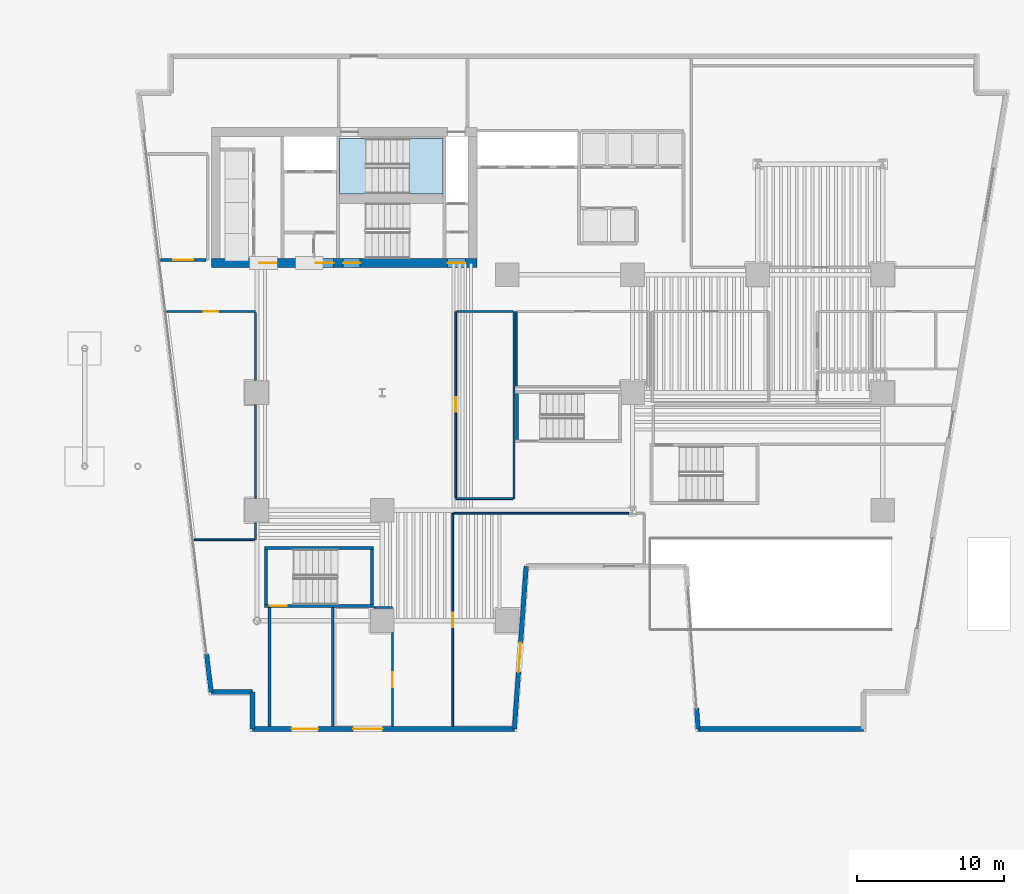
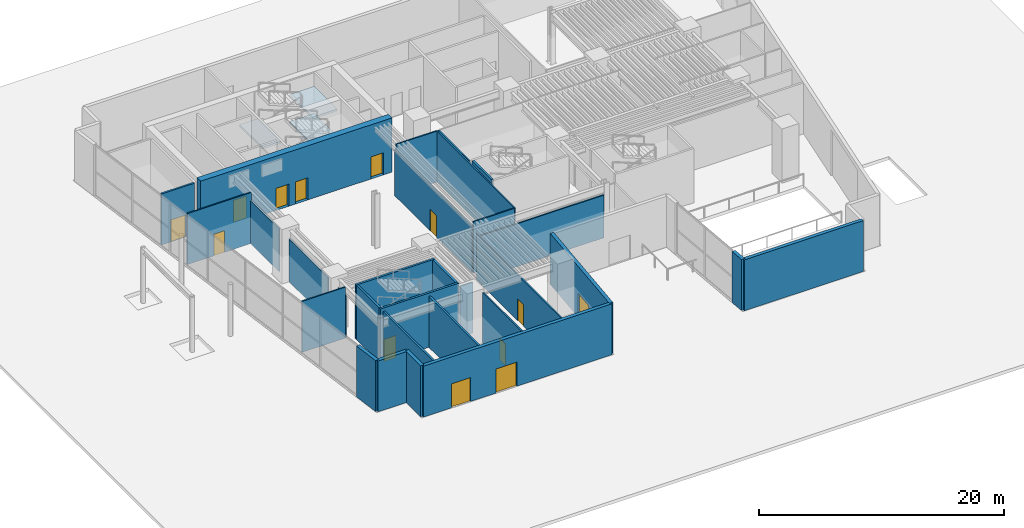
# One storey, part 8 of 18: 30 walls, 13 doors, 3 slabs, 13 openings, 1 element without a shape of its own.
"""IFC4 building model written with IfcOpenShell, lengths in metres."""

from ifc_helpers import new_model, si_unit, direction, frame, frame_2d, origin, place, context, subcontext, project, spatial, polyline, rectangle, outline, extrude, material, layer, layer_set, type_object, element, fill, aggregate, save


model = new_model("IFC4")

# Units and contexts
model_context = context("Model", 3, precision=1e-05, world=origin(), true_north=direction((0.0, 1.0)))
body_context = subcontext(model_context, "Body", "Model", "MODEL_VIEW")
ifc_project = project(units=[si_unit("LENGTHUNIT", "METRE"), si_unit("AREAUNIT", "SQUARE_METRE"), si_unit("VOLUMEUNIT", "CUBIC_METRE"), si_unit("PLANEANGLEUNIT", "RADIAN"), si_unit("MASSUNIT", "GRAM", prefix="KILO")], contexts=[model_context])

# Site, building, storey
site_placement = place(None, origin())
site = spatial("IfcSite", under=ifc_project, at=site_placement, CompositionType="ELEMENT")
building_placement = place(site_placement, origin())
building = spatial("IfcBuilding", under=site, at=building_placement, Name="Caeloran Harvest Quay", CompositionType="ELEMENT")
storey_placement = place(building_placement, origin())
storey = spatial("IfcBuildingStorey", under=building, at=storey_placement, Name="L01", CompositionType="ELEMENT", Elevation=0.0)

# Stair, slabs
ifc_material_1 = material(Name="Concrete C50/60", Category="concrete")
stair_type = type_object("IfcStairType", Name="STAIR-STC-180", PredefinedType="HALF_TURN_STAIR", material=ifc_material_1)
stair_placement = place(storey_placement, origin())
stair = element("IfcStair", 1, at=stair_placement, inside=storey, type_object=stair_type, Name="L01 Core Pressurized Exit Stair ST-C1", PredefinedType="HALF_TURN_STAIR")
ifc_layer_1 = layer(ifc_material_1, 0.219970703125, Name="Concrete C50/60")
ifc_layer_set_1 = layer_set([ifc_layer_1], Name="Concrete C50/60")
slab_type = type_object("IfcSlabType", Name="STAIR-LANDING-220", PredefinedType="LANDING", material=ifc_layer_set_1)
slab_1_placement = place(storey_placement, frame((0.0, 0.0, 1.14990234375)))
slab_1 = element("IfcSlab", 2, at=slab_1_placement, type_object=slab_type, Name="ST-C1 landing 1", PredefinedType="LANDING", context=body_context, shape_type="SweptSolid", body=[
    extrude(outline(polyline([(18.840087890625, 36.5), (21.14990234375, 36.5), (21.14990234375, 40.25), (18.840087890625, 40.25), (18.840087890625, 36.5)])), origin(), (0.0, 0.0, 1.0), 0.2001953125),
])
slab_2_placement = place(storey_placement, frame((0.0, 0.0, 2.5)))
slab_2 = element("IfcSlab", 3, at=slab_2_placement, type_object=slab_type, Name="ST-C1 landing 2", PredefinedType="LANDING", context=body_context, shape_type="SweptSolid", body=[
    extrude(outline(polyline([(14.10009765625, 36.5), (15.89990234375, 36.5), (15.89990234375, 40.25), (14.10009765625, 40.25), (14.10009765625, 36.5)])), origin(), (0.0, 0.0, 1.0), 0.199951171875),
])
slab_3_placement = place(storey_placement, frame((0.0, 0.0, 3.85009765625)))
slab_3 = element("IfcSlab", 4, at=slab_3_placement, type_object=slab_type, Name="ST-C1 landing 3", PredefinedType="LANDING", context=body_context, shape_type="SweptSolid", body=[
    extrude(outline(polyline([(18.840087890625, 36.5), (21.14990234375, 36.5), (21.14990234375, 40.25), (18.840087890625, 40.25), (18.840087890625, 36.5)])), origin(), (0.0, 0.0, 1.0), 0.199951171875),
])
aggregate(stair, [slab_1, slab_2, slab_3])

# Walls
ifc_material_2 = material(Name="Precast concrete C50/60", Category="concrete")
ifc_layer_2 = layer(ifc_material_2, 0.320068359375, Name="Precast concrete C50/60")
ifc_layer_set_2 = layer_set([ifc_layer_2], Name="Precast concrete C50/60")
wall_type_1 = type_object("IfcWallType", Name="ENV-WALL-EW-320", PredefinedType="STANDARD", material=ifc_layer_set_2)
wall_1_placement = place(storey_placement, frame((8.2041015625, 0.159912109375, 0.0), z_axis=(0.0, 0.0, 1.0), x_axis=(0.0, 1.0, 0.0)))
element("IfcWall", 5, at=wall_1_placement, inside=storey, type_object=wall_type_1, Name="L01 Exterior Precast Concrete Facade Wall 1", PredefinedType="STANDARD", context=body_context, shape_type="SweptSolid", body=[
    extrude(rectangle(XDim=2.5, YDim=0.320068359375, at=frame_2d((1.25, 0.0))), origin(), (0.0, 0.0, 1.0), 5.080078125),
])
wall_2_placement = place(storey_placement, frame((8.2041015625, 2.659912109375, 0.0), z_axis=(0.0, 0.0, 1.0), x_axis=(-1.0, 0.0, 0.0)))
element("IfcWall", 6, at=wall_2_placement, inside=storey, type_object=wall_type_1, Name="L01 Exterior Precast Concrete Facade Wall 2", PredefinedType="STANDARD", context=body_context, shape_type="SweptSolid", body=[
    extrude(rectangle(XDim=2.819580078125, YDim=0.320068359375, at=frame_2d((1.40966796875, 0.0))), origin(), (0.0, 0.0, 1.0), 5.080078125),
])
wall_3_placement = place(storey_placement, frame((5.384521484375, 2.659912109375, 0.0), z_axis=(0.0, 0.0, 1.0), x_axis=(-0.119630264411, 0.992818513041, 0.0)))
element("IfcWall", 7, at=wall_3_placement, inside=storey, type_object=wall_type_1, Name="L01 Exterior Facade Corner Pier Wall 3A", PredefinedType="STANDARD", context=body_context, shape_type="SweptSolid", body=[
    extrude(rectangle(XDim=2.599853515625, YDim=0.320068359375, at=frame_2d((1.2998046875, 0.0))), origin(), (0.0, 0.0, 1.0), 5.080078125),
])
wall_4_placement = place(storey_placement, frame((49.68408203125, 0.159912109375, 0.0), z_axis=(0.0, 0.0, 1.0), x_axis=(-1.0, 0.0, 0.0)))
element("IfcWall", 8, at=wall_4_placement, inside=storey, type_object=wall_type_1, Name="L01 Exterior Precast Concrete Facade Wall 12", PredefinedType="STANDARD", context=body_context, shape_type="SweptSolid", body=[
    extrude(rectangle(XDim=11.231201171875, YDim=0.320068359375, at=frame_2d((5.61572265625, 0.0))), origin(), (0.0, 0.0, 1.0), 5.080078125),
])
wall_5_placement = place(storey_placement, frame((38.452880859375, 0.159912109375, 0.0), z_axis=(0.0, 0.0, 1.0), x_axis=(-0.072362245244, 0.997378416381, 0.0)))
element("IfcWall", 9, at=wall_5_placement, inside=storey, type_object=wall_type_1, Name="L01 Exterior Facade Corner Pier Wall 13A", PredefinedType="STANDARD", context=body_context, shape_type="SweptSolid", body=[
    extrude(rectangle(XDim=1.400146484375, YDim=0.320068359375, at=frame_2d((0.7001953125, 0.0))), origin(), (0.0, 0.0, 1.0), 5.080078125),
])

# Wall, opening, door
wall_6_placement = place(storey_placement, frame((26.787109375, 11.199951171875, 0.0), z_axis=(0.0, 0.0, 1.0), x_axis=(-0.072256453304, -0.997386086205, 0.0)))
wall_6 = element("IfcWall", 10, at=wall_6_placement, inside=storey, type_object=wall_type_1, Name="L01 Exterior Precast Concrete Facade Wall 15", PredefinedType="STANDARD", context=body_context, shape_type="SweptSolid", body=[
    extrude(rectangle(XDim=11.069091796875, YDim=0.320068359375, at=frame_2d((5.53466796875, 0.0))), origin(), (0.0, 0.0, 1.0), 5.080078125),
])
opening_1_placement = place(wall_6_placement, frame((5.198974609375, 0.0, 0.0)))
opening_1 = element("IfcOpeningElement", 11, at=opening_1_placement, cuts=wall_6, Name="Opening ED-01", PredefinedType="OPENING", context=body_context, shape_type="SweptSolid", body=[
    extrude(rectangle(XDim=2.0, YDim=2.39990234375, at=frame_2d((1.0, 1.199951171875))), frame((0.0, 0.169921875, 0.0), z_axis=(0.0, -1.0, 0.0), x_axis=(1.0, 0.0, 0.0)), (0.0, 0.0, 1.0), 0.340087890625),
])
ifc_material_3 = material(Name="Thermally Broken Powder-Coated Aluminium and Safety Glass", Category="aluminium")
door_type_1 = type_object("IfcDoorType", Name="EXTDOOR-ED-01", OperationType="NOTDEFINED", PredefinedType="DOOR", material=ifc_material_3)
door_1_placement = place(opening_1_placement, origin())
door_1 = element("IfcDoor", 12, at=door_1_placement, inside=storey, type_object=door_type_1, Name="L01 Waterfront Final Exit Discharge Door E-02", OperationType="DOUBLE_DOOR_SINGLE_SWING", OverallHeight=2.39990234375, OverallWidth=2.0, PredefinedType="DOOR", context=body_context, shape_type="SweptSolid", body=[
    extrude(rectangle(XDim=2.0, YDim=2.39990234375, at=frame_2d((1.0, 1.199951171875))), frame((0.0, 0.02490234375, 0.0), z_axis=(0.0, -1.0, 0.0), x_axis=(1.0, 0.0, 0.0)), (0.0, 0.0, 1.0), 0.050048828125),
])
fill(opening_1, door_1)

# Wall, openings, doors
wall_7_placement = place(storey_placement, frame((25.9873046875, 0.159912109375, 0.0), z_axis=(0.0, 0.0, 1.0), x_axis=(-1.0, 0.0, 0.0)))
wall_7 = element("IfcWall", 13, at=wall_7_placement, inside=storey, type_object=wall_type_1, Name="L01 Exterior Precast Concrete Facade Wall 16", PredefinedType="STANDARD", context=body_context, shape_type="SweptSolid", body=[
    extrude(rectangle(XDim=17.783203125, YDim=0.320068359375, at=frame_2d((8.8916015625, 0.0))), origin(), (0.0, 0.0, 1.0), 5.080078125),
])
opening_2_placement = place(wall_7_placement, frame((13.326904296875, 0.0, 0.0)))
opening_2 = element("IfcOpeningElement", 14, at=opening_2_placement, cuts=wall_7, Name="Opening ED-02", PredefinedType="OPENING", context=body_context, shape_type="SweptSolid", body=[
    extrude(rectangle(XDim=1.800048828125, YDim=2.39990234375, at=frame_2d((0.89990234375, 1.199951171875))), frame((0.0, 0.169921875, 0.0), z_axis=(0.0, -1.0, 0.0), x_axis=(1.0, 0.0, 0.0)), (0.0, 0.0, 1.0), 0.340087890625),
])
opening_3_placement = place(wall_7_placement, frame((8.958984375, 0.0, 0.0)))
opening_3 = element("IfcOpeningElement", 15, at=opening_3_placement, cuts=wall_7, Name="Opening ED-01", PredefinedType="OPENING", context=body_context, shape_type="SweptSolid", body=[
    extrude(rectangle(XDim=2.0, YDim=2.39990234375, at=frame_2d((1.0, 1.199951171875))), frame((0.0, 0.169921875, 0.0), z_axis=(0.0, -1.0, 0.0), x_axis=(1.0, 0.0, 0.0)), (0.0, 0.0, 1.0), 0.340087890625),
])
door_2_placement = place(opening_3_placement, origin())
door_2 = element("IfcDoor", 16, at=door_2_placement, inside=storey, type_object=door_type_1, Name="L01 Waterfront Final Exit Discharge Door E-03", OperationType="DOUBLE_DOOR_SINGLE_SWING", OverallHeight=2.39990234375, OverallWidth=2.0, PredefinedType="DOOR", context=body_context, shape_type="SweptSolid", body=[
    extrude(rectangle(XDim=2.0, YDim=2.39990234375, at=frame_2d((1.0, 1.199951171875))), frame((0.0, 0.02490234375, 0.0), z_axis=(0.0, -1.0, 0.0), x_axis=(1.0, 0.0, 0.0)), (0.0, 0.0, 1.0), 0.050048828125),
])
fill(opening_3, door_2)
door_type_2 = type_object("IfcDoorType", Name="EXTDOOR-ED-02", OperationType="NOTDEFINED", PredefinedType="DOOR", material=ifc_material_3)
door_3_placement = place(opening_2_placement, origin())
door_3 = element("IfcDoor", 17, at=door_3_placement, inside=storey, type_object=door_type_2, Name="L01 Protected Passage ST-P1 Final Exit Door", OperationType="DOUBLE_DOOR_SINGLE_SWING", OverallHeight=2.39990234375, OverallWidth=1.800048828125, PredefinedType="DOOR", context=body_context, shape_type="SweptSolid", body=[
    extrude(rectangle(XDim=1.800048828125, YDim=2.39990234375, at=frame_2d((0.89990234375, 1.199951171875))), frame((0.0, 0.02490234375, 0.0), z_axis=(0.0, -1.0, 0.0), x_axis=(1.0, 0.0, 0.0)), (0.0, 0.0, 1.0), 0.050048828125),
])
fill(opening_2, door_3)

# Wall, opening, door
ifc_material_4 = material(Name="Twin-Stud Mineral-Wool Acoustic Gypsum Partition", Category="gypsum")
ifc_layer_3 = layer(ifc_material_4, 0.125, Name="Twin-Stud Mineral-Wool Acoustic Gypsum Partition")
ifc_layer_set_3 = layer_set([ifc_layer_3], Name="Twin-Stud Mineral-Wool Acoustic Gypsum Partition")
wall_type_2 = type_object("IfcWallType", Name="INT-WALL-PW-125", PredefinedType="PARTITIONING", material=ifc_layer_set_3)
wall_8_placement = place(storey_placement, frame((2.3759765625, 28.5, 0.0), z_axis=(0.0, 0.0, 1.0), x_axis=(1.0, 0.0, 0.0)))
wall_8 = element("IfcWall", 18, at=wall_8_placement, inside=storey, type_object=wall_type_2, Name="West Harbourfront Wet-Dry Harvest Market Hall Partition Wall", PredefinedType="PARTITIONING", context=body_context, shape_type="SweptSolid", body=[
    extrude(rectangle(XDim=6.02392578125, YDim=0.125, at=frame_2d((3.011962890625, 0.0))), origin(), (0.0, 0.0, 1.0), 5.080078125),
])
opening_4_placement = place(wall_8_placement, frame((2.511962890625, 0.0, 0.0)))
opening_4 = element("IfcOpeningElement", 19, at=opening_4_placement, cuts=wall_8, Name="Opening ID-01", PredefinedType="OPENING", context=body_context, shape_type="SweptSolid", body=[
    extrude(rectangle(XDim=1.0, YDim=2.14990234375, at=frame_2d((0.5, 1.074951171875))), frame((0.0, 0.072509765625, 0.0), z_axis=(0.0, -1.0, 0.0), x_axis=(1.0, 0.0, 0.0)), (0.0, 0.0, 1.0), 0.14501953125),
])
ifc_material_5 = material(Name="FSC Solid-Core Ash Timber and Acoustic Seal", Category="wood")
door_type_3 = type_object("IfcDoorType", Name="INTDOOR-ID-01", OperationType="NOTDEFINED", PredefinedType="DOOR", material=ifc_material_5)
door_4_placement = place(opening_4_placement, origin())
door_4 = element("IfcDoor", 20, at=door_4_placement, inside=storey, type_object=door_type_3, Name="West Harbourfront Wet-Dry Harvest Market Hall Access Door", OperationType="SINGLE_SWING_RIGHT", OverallHeight=2.14990234375, OverallWidth=1.0, PredefinedType="DOOR", context=body_context, shape_type="SweptSolid", body=[
    extrude(rectangle(XDim=1.0, YDim=2.14990234375, at=frame_2d((0.5, 1.074951171875))), frame((0.0, 0.02490234375, 0.0), z_axis=(0.0, -1.0, 0.0), x_axis=(1.0, 0.0, 0.0)), (0.0, 0.0, 1.0), 0.050048828125),
])
fill(opening_4, door_4)

# Walls
wall_9_placement = place(storey_placement, frame((8.39990234375, 28.4326171875, 0.0), z_axis=(0.0, 0.0, 1.0), x_axis=(0.0, -1.0, 0.0)))
element("IfcWall", 21, at=wall_9_placement, inside=storey, type_object=wall_type_2, Name="West Harbourfront Wet-Dry Harvest Market Hall Partition Wall", PredefinedType="PARTITIONING", context=body_context, shape_type="SweptSolid", body=[
    extrude(rectangle(XDim=4.607666015625, YDim=0.125, at=frame_2d((2.3037109375, 0.0))), origin(), (0.0, 0.0, 1.0), 4.264892578125),
])
wall_10_placement = place(storey_placement, frame((8.39990234375, 22.175048828125, 0.0), z_axis=(0.0, 0.0, 1.0), x_axis=(0.0, -1.0, 0.0)))
element("IfcWall", 22, at=wall_10_placement, inside=storey, type_object=wall_type_2, Name="West Harbourfront Wet-Dry Harvest Market Hall Partition Wall", PredefinedType="PARTITIONING", context=body_context, shape_type="SweptSolid", body=[
    extrude(rectangle(XDim=6.35009765625, YDim=0.125, at=frame_2d((3.175048828125, 0.0))), origin(), (0.0, 0.0, 1.0), 4.264892578125),
])
wall_11_placement = place(storey_placement, frame((8.39990234375, 14.175048828125, 0.0), z_axis=(0.0, 0.0, 1.0), x_axis=(0.0, -1.0, 0.0)))
element("IfcWall", 23, at=wall_11_placement, inside=storey, type_object=wall_type_2, Name="West Harbourfront Wet-Dry Harvest Market Hall Partition Wall", PredefinedType="PARTITIONING", context=body_context, shape_type="SweptSolid", body=[
    extrude(rectangle(XDim=1.175048828125, YDim=0.125, at=frame_2d((0.58740234375, 0.0))), origin(), (0.0, 0.0, 1.0), 4.264892578125),
])
wall_12_placement = place(storey_placement, frame((8.33251953125, 13.0, 0.0), z_axis=(0.0, 0.0, 1.0), x_axis=(-1.0, 0.0, 0.0)))
element("IfcWall", 24, at=wall_12_placement, inside=storey, type_object=wall_type_2, Name="West Harbourfront Wet-Dry Harvest Market Hall Partition Wall", PredefinedType="PARTITIONING", context=body_context, shape_type="SweptSolid", body=[
    extrude(rectangle(XDim=4.08837890625, YDim=0.125, at=frame_2d((2.044189453125, 0.0))), origin(), (0.0, 0.0, 1.0), 5.080078125),
])

# Wall, opening, door
wall_13_placement = place(storey_placement, frame((17.699951171875, 6.675048828125, 0.0), z_axis=(0.0, 0.0, 1.0), x_axis=(0.0, -1.0, 0.0)))
wall_13 = element("IfcWall", 25, at=wall_13_placement, inside=storey, type_object=wall_type_2, Name="South Waterfront Organic Produce Market Stalls Partition Wall", PredefinedType="PARTITIONING", context=body_context, shape_type="SweptSolid", body=[
    extrude(rectangle(XDim=6.35009765625, YDim=0.125, at=frame_2d((3.175048828125, 0.0))), origin(), (0.0, 0.0, 1.0), 5.080078125),
])
opening_5_placement = place(wall_13_placement, frame((2.675048828125, 0.0, 0.0)))
opening_5 = element("IfcOpeningElement", 26, at=opening_5_placement, cuts=wall_13, Name="Opening ID-01", PredefinedType="OPENING", context=body_context, shape_type="SweptSolid", body=[
    extrude(rectangle(XDim=1.0, YDim=2.14990234375, at=frame_2d((0.5, 1.074951171875))), frame((0.0, 0.072509765625, 0.0), z_axis=(0.0, -1.0, 0.0), x_axis=(1.0, 0.0, 0.0)), (0.0, 0.0, 1.0), 0.14501953125),
])
door_5_placement = place(opening_5_placement, origin())
door_5 = element("IfcDoor", 27, at=door_5_placement, inside=storey, type_object=door_type_3, Name="South Waterfront Organic Produce Market Stalls Access Door", OperationType="SINGLE_SWING_LEFT", OverallHeight=2.14990234375, OverallWidth=1.0, PredefinedType="DOOR", context=body_context, shape_type="SweptSolid", body=[
    extrude(rectangle(XDim=1.0, YDim=2.14990234375, at=frame_2d((0.5, 1.074951171875))), frame((0.0, 0.02490234375, 0.0), z_axis=(0.0, -1.0, 0.0), x_axis=(1.0, 0.0, 0.0)), (0.0, 0.0, 1.0), 0.050048828125),
])
fill(opening_5, door_5)

# Wall
wall_14_placement = place(storey_placement, frame((16.474609375, 8.39990234375, 0.0), z_axis=(0.0, 0.0, 1.0), x_axis=(1.0, 0.0, 0.0)))
element("IfcWall", 28, at=wall_14_placement, inside=storey, type_object=wall_type_2, Name="South Waterfront Organic Produce Market Stalls Partition Wall", PredefinedType="PARTITIONING", context=body_context, shape_type="SweptSolid", body=[
    extrude(rectangle(XDim=1.225341796875, YDim=0.125, at=frame_2d((0.61279296875, 0.0))), origin(), (0.0, 0.0, 1.0), 5.080078125),
])

# Wall, opening, door
wall_15_placement = place(storey_placement, frame((21.800048828125, 0.324951171875, 0.0), z_axis=(0.0, 0.0, 1.0), x_axis=(0.0, 1.0, 0.0)))
wall_15 = element("IfcWall", 29, at=wall_15_placement, inside=storey, type_object=wall_type_2, Name="Quayside Bakery and Farm-to-Table Cafe Partition Wall", PredefinedType="PARTITIONING", context=body_context, shape_type="SweptSolid", body=[
    extrude(rectangle(XDim=14.47509765625, YDim=0.125, at=frame_2d((7.237548828125, 0.0))), origin(), (0.0, 0.0, 1.0), 4.56494140625),
])
opening_6_placement = place(wall_15_placement, frame((6.737548828125, 0.0, 0.0)))
opening_6 = element("IfcOpeningElement", 30, at=opening_6_placement, cuts=wall_15, Name="Opening ID-01", PredefinedType="OPENING", context=body_context, shape_type="SweptSolid", body=[
    extrude(rectangle(XDim=1.0, YDim=2.14990234375, at=frame_2d((0.5, 1.074951171875))), frame((0.0, 0.072509765625, 0.0), z_axis=(0.0, -1.0, 0.0), x_axis=(1.0, 0.0, 0.0)), (0.0, 0.0, 1.0), 0.14501953125),
])
door_6_placement = place(opening_6_placement, origin())
door_6 = element("IfcDoor", 31, at=door_6_placement, inside=storey, type_object=door_type_3, Name="Quayside Bakery and Farm-to-Table Cafe Access Door", OperationType="SINGLE_SWING_RIGHT", OverallHeight=2.14990234375, OverallWidth=1.0, PredefinedType="DOOR", context=body_context, shape_type="SweptSolid", body=[
    extrude(rectangle(XDim=1.0, YDim=2.14990234375, at=frame_2d((0.5, 1.074951171875))), frame((0.0, 0.02490234375, 0.0), z_axis=(0.0, -1.0, 0.0), x_axis=(1.0, 0.0, 0.0)), (0.0, 0.0, 1.0), 0.050048828125),
])
fill(opening_6, door_6)

# Walls
wall_16_placement = place(storey_placement, frame((21.867431640625, 14.800048828125, 0.0), z_axis=(0.0, 0.0, 1.0), x_axis=(1.0, 0.0, 0.0)))
element("IfcWall", 32, at=wall_16_placement, inside=storey, type_object=wall_type_2, Name="Quayside Bakery and Farm-to-Table Cafe Partition Wall", PredefinedType="PARTITIONING", context=body_context, shape_type="SweptSolid", body=[
    extrude(rectangle(XDim=11.880615234375, YDim=0.125, at=frame_2d((5.9404296875, 0.0))), origin(), (0.0, 0.0, 1.0), 4.264892578125),
])
wall_17_placement = place(storey_placement, frame((26.10009765625, 23.467529296875, 0.0), z_axis=(0.0, 0.0, 1.0), x_axis=(0.0, 1.0, 0.0)))
element("IfcWall", 33, at=wall_17_placement, inside=storey, type_object=wall_type_2, Name="Cold-Chain Harvest Sorting and Packhouse Hall Partition Wall", PredefinedType="PARTITIONING", context=body_context, shape_type="SweptSolid", body=[
    extrude(rectangle(XDim=5.032470703125, YDim=0.125, at=frame_2d((2.51611328125, 0.0))), origin(), (0.0, 0.0, 1.0), 5.080078125),
])
wall_18_placement = place(storey_placement, frame((25.949951171875, 28.5, 0.0), z_axis=(0.0, 0.0, 1.0), x_axis=(0.0, -1.0, 0.0)))
element("IfcWall", 34, at=wall_18_placement, inside=storey, type_object=wall_type_2, Name="Walk-In Produce Chiller Store (+2 C) Partition Wall", PredefinedType="PARTITIONING", context=body_context, shape_type="SweptSolid", body=[
    extrude(rectangle(XDim=12.699951171875, YDim=0.125, at=frame_2d((6.35009765625, 0.0))), origin(), (0.0, 0.0, 1.0), 5.080078125),
])
wall_19_placement = place(storey_placement, frame((25.882568359375, 15.800048828125, 0.0), z_axis=(0.0, 0.0, 1.0), x_axis=(-1.0, 0.0, 0.0)))
element("IfcWall", 35, at=wall_19_placement, inside=storey, type_object=wall_type_2, Name="Walk-In Produce Chiller Store (+2 C) Partition Wall", PredefinedType="PARTITIONING", context=body_context, shape_type="SweptSolid", body=[
    extrude(rectangle(XDim=3.882568359375, YDim=0.125, at=frame_2d((1.94140625, 0.0))), origin(), (0.0, 0.0, 1.0), 5.080078125),
])

# Wall, opening, door
wall_20_placement = place(storey_placement, frame((22.0, 15.867431640625, 0.0), z_axis=(0.0, 0.0, 1.0), x_axis=(0.0, 1.0, 0.0)))
wall_20 = element("IfcWall", 36, at=wall_20_placement, inside=storey, type_object=wall_type_2, Name="Walk-In Produce Chiller Store (+2 C) Partition Wall", PredefinedType="PARTITIONING", context=body_context, shape_type="SweptSolid", body=[
    extrude(rectangle(XDim=12.632568359375, YDim=0.125, at=frame_2d((6.31640625, 0.0))), origin(), (0.0, 0.0, 1.0), 4.614990234375),
])
opening_7_placement = place(wall_20_placement, frame((5.81640625, 0.0, 0.0)))
opening_7 = element("IfcOpeningElement", 37, at=opening_7_placement, cuts=wall_20, Name="Opening ID-01", PredefinedType="OPENING", context=body_context, shape_type="SweptSolid", body=[
    extrude(rectangle(XDim=1.0, YDim=2.14990234375, at=frame_2d((0.5, 1.074951171875))), frame((0.0, 0.072509765625, 0.0), z_axis=(0.0, -1.0, 0.0), x_axis=(1.0, 0.0, 0.0)), (0.0, 0.0, 1.0), 0.14501953125),
])
door_7_placement = place(opening_7_placement, origin())
door_7 = element("IfcDoor", 38, at=door_7_placement, inside=storey, type_object=door_type_3, Name="Walk-In Produce Chiller Store (+2 C) Access Door", OperationType="SINGLE_SWING_RIGHT", OverallHeight=2.14990234375, OverallWidth=1.0, PredefinedType="DOOR", context=body_context, shape_type="SweptSolid", body=[
    extrude(rectangle(XDim=1.0, YDim=2.14990234375, at=frame_2d((0.5, 1.074951171875))), frame((0.0, 0.02490234375, 0.0), z_axis=(0.0, -1.0, 0.0), x_axis=(1.0, 0.0, 0.0)), (0.0, 0.0, 1.0), 0.050048828125),
])
fill(opening_7, door_7)

# Walls
wall_21_placement = place(storey_placement, frame((22.0673828125, 28.5, 0.0), z_axis=(0.0, 0.0, 1.0), x_axis=(1.0, 0.0, 0.0)))
element("IfcWall", 39, at=wall_21_placement, inside=storey, type_object=wall_type_2, Name="Walk-In Produce Chiller Store (+2 C) Partition Wall", PredefinedType="PARTITIONING", context=body_context, shape_type="SweptSolid", body=[
    extrude(rectangle(XDim=3.815185546875, YDim=0.125, at=frame_2d((1.90771484375, 0.0))), origin(), (0.0, 0.0, 1.0), 5.080078125),
])
ifc_material_6 = material(Name="Autoclaved Aerated Concrete Blockwork", Category="masonry")
ifc_layer_4 = layer(ifc_material_6, 0.179931640625, Name="Autoclaved Aerated Concrete Blockwork")
ifc_layer_set_4 = layer_set([ifc_layer_4], Name="Autoclaved Aerated Concrete Blockwork")
wall_type_3 = type_object("IfcWallType", Name="INT-WALL-PW-180", PredefinedType="PARTITIONING", material=ifc_layer_set_4)
for number, where, z_axis, x_axis, name in (
    (40, (9.35009765625, 0.324951171875, 0.0), (0.0, 0.0, 1.0), (0.0, 1.0, 0.0), "L01 Protected Exit Passageway ST-P1 to South Promenade EI 120 Compartment Wall"),
    (41, (13.64990234375, 8.39501953125, 0.0), (0.0, 0.0, 1.0), (0.0, -1.0, 0.0), "L01 Protected Exit Passageway ST-P1 to South Promenade EI 120 Compartment Wall"),
):
    element("IfcWall", number, at=place(storey_placement, frame(where, z_axis=z_axis, x_axis=x_axis)), inside=storey, type_object=wall_type_3, Name=name, PredefinedType="PARTITIONING", context=body_context, shape_type="SweptSolid", body=[
        extrude(rectangle(XDim=8.070068359375, YDim=0.179931640625, at=frame_2d((4.03515625, 0.0))), origin(), (0.0, 0.0, 1.0), 5.080078125),
    ])

# Wall, opening, door
wall_22_placement = place(storey_placement, frame((5.054931640625, 32.0, 0.0), z_axis=(0.0, 0.0, 1.0), x_axis=(-1.0, 0.0, 0.0)))
wall_22 = element("IfcWall", 42, at=wall_22_placement, inside=storey, type_object=wall_type_3, Name="L01 Fire Command Centre and Fire Control Room Partition Wall", PredefinedType="PARTITIONING", context=body_context, shape_type="SweptSolid", body=[
    extrude(rectangle(XDim=3.100830078125, YDim=0.179931640625, at=frame_2d((1.55029296875, 0.0))), origin(), (0.0, 0.0, 1.0), 5.080078125),
])
opening_8_placement = place(wall_22_placement, frame((0.87548828125, 0.0, 0.0)))
opening_8 = element("IfcOpeningElement", 43, at=opening_8_placement, cuts=wall_22, Name="Opening ID-02", PredefinedType="OPENING", context=body_context, shape_type="SweptSolid", body=[
    extrude(rectangle(XDim=1.35009765625, YDim=2.199951171875, at=frame_2d((0.675048828125, 1.10009765625))), frame((0.0, 0.10009765625, 0.0), z_axis=(0.0, -1.0, 0.0), x_axis=(1.0, 0.0, 0.0)), (0.0, 0.0, 1.0), 0.199951171875),
])
ifc_material_7 = material(Name="Powder-Coated Steel Acoustic Leaf", Category="steel")
door_type_4 = type_object("IfcDoorType", Name="INTDOOR-ID-02", OperationType="NOTDEFINED", PredefinedType="DOOR", material=ifc_material_7)
door_8_placement = place(opening_8_placement, origin())
door_8 = element("IfcDoor", 44, at=door_8_placement, inside=storey, type_object=door_type_4, Name="L01 Fire Command Centre and Fire Control Room Access Door", OperationType="SINGLE_SWING_LEFT", OverallHeight=2.199951171875, OverallWidth=1.35009765625, PredefinedType="DOOR", context=body_context, shape_type="SweptSolid", body=[
    extrude(rectangle(XDim=1.35009765625, YDim=2.199951171875, at=frame_2d((0.675048828125, 1.10009765625))), frame((0.0, 0.02490234375, 0.0), z_axis=(0.0, -1.0, 0.0), x_axis=(1.0, 0.0, 0.0)), (0.0, 0.0, 1.0), 0.050048828125),
])
fill(opening_8, door_8)

# Wall, openings, doors
ifc_material_8 = material(Name="Concrete C80/95", Category="concrete")
ifc_layer_5 = layer(ifc_material_8, 0.60009765625, Name="Concrete C80/95")
ifc_layer_set_5 = layer_set([ifc_layer_5], Name="Concrete C80/95")
wall_type_4 = type_object("IfcWallType", Name="STR-WALL-CW-600", PredefinedType="SHEAR", material=ifc_layer_set_5)
wall_23_placement = place(storey_placement, frame((5.39990234375, 31.800048828125, 0.0), z_axis=(0.0, 0.0, 1.0), x_axis=(1.0, 0.0, 0.0)))
wall_23 = element("IfcWall", 45, at=wall_23_placement, inside=storey, type_object=wall_type_4, Name="L01 Rear Core Shear Wall S", PredefinedType="SHEAR", context=body_context, shape_type="SweptSolid", body=[
    extrude(rectangle(XDim=18.050048828125, YDim=0.60009765625, at=frame_2d((9.02490234375, 0.0))), origin(), (0.0, 0.0, 1.0), 5.39990234375),
])
opening_9_placement = place(wall_23_placement, frame((3.25, 0.0, 0.0)))
opening_9 = element("IfcOpeningElement", 46, at=opening_9_placement, cuts=wall_23, Name="Opening FD-01", PredefinedType="OPENING", context=body_context, shape_type="SweptSolid", body=[
    extrude(rectangle(XDim=1.199951171875, YDim=2.199951171875, at=frame_2d((0.60009765625, 1.10009765625))), frame((0.0, 0.31005859375, 0.0), z_axis=(0.0, -1.0, 0.0), x_axis=(1.0, 0.0, 0.0)), (0.0, 0.0, 1.0), 0.6201171875),
])
opening_10_placement = place(wall_23_placement, frame((7.10009765625, 0.0, 0.0)))
opening_10 = element("IfcOpeningElement", 47, at=opening_10_placement, cuts=wall_23, Name="Opening FD-01", PredefinedType="OPENING", context=body_context, shape_type="SweptSolid", body=[
    extrude(rectangle(XDim=1.199951171875, YDim=2.199951171875, at=frame_2d((0.60009765625, 1.10009765625))), frame((0.0, 0.31005859375, 0.0), z_axis=(0.0, -1.0, 0.0), x_axis=(1.0, 0.0, 0.0)), (0.0, 0.0, 1.0), 0.6201171875),
])
opening_11_placement = place(wall_23_placement, frame((8.949951171875, 0.0, 0.0)))
opening_11 = element("IfcOpeningElement", 48, at=opening_11_placement, cuts=wall_23, Name="Opening SD-01", PredefinedType="OPENING", context=body_context, shape_type="SweptSolid", body=[
    extrude(rectangle(XDim=1.14990234375, YDim=2.199951171875, at=frame_2d((0.574951171875, 1.10009765625))), frame((0.0, 0.31005859375, 0.0), z_axis=(0.0, -1.0, 0.0), x_axis=(1.0, 0.0, 0.0)), (0.0, 0.0, 1.0), 0.6201171875),
])
opening_12_placement = place(wall_23_placement, frame((16.050048828125, 0.0, 0.0)))
opening_12 = element("IfcOpeningElement", 49, at=opening_12_placement, cuts=wall_23, Name="Opening FD-01", PredefinedType="OPENING", context=body_context, shape_type="SweptSolid", body=[
    extrude(rectangle(XDim=1.199951171875, YDim=2.199951171875, at=frame_2d((0.60009765625, 1.10009765625))), frame((0.0, 0.31005859375, 0.0), z_axis=(0.0, -1.0, 0.0), x_axis=(1.0, 0.0, 0.0)), (0.0, 0.0, 1.0), 0.6201171875),
])
ifc_material_9 = material(Name="Steel", Category="steel")
door_type_5 = type_object("IfcDoorType", Name="INTDOOR-FD-01", OperationType="NOTDEFINED", PredefinedType="DOOR", material=ifc_material_9)
door_9_placement = place(opening_9_placement, origin())
door_9 = element("IfcDoor", 50, at=door_9_placement, inside=storey, type_object=door_type_5, Name="L01 High-Rise Lift Lobby Fire Door", OperationType="SINGLE_SWING_LEFT", OverallHeight=2.199951171875, OverallWidth=1.199951171875, PredefinedType="DOOR", context=body_context, shape_type="SweptSolid", body=[
    extrude(rectangle(XDim=1.199951171875, YDim=2.199951171875, at=frame_2d((0.60009765625, 1.10009765625))), frame((0.0, 0.02490234375, 0.0), z_axis=(0.0, -1.0, 0.0), x_axis=(1.0, 0.0, 0.0)), (0.0, 0.0, 1.0), 0.050048828125),
])
fill(opening_9, door_9)
door_10_placement = place(opening_10_placement, origin())
door_10 = element("IfcDoor", 51, at=door_10_placement, inside=storey, type_object=door_type_5, Name="L01 Firefighting Lobby Vestibule Fire Door", OperationType="SINGLE_SWING_RIGHT", OverallHeight=2.199951171875, OverallWidth=1.199951171875, PredefinedType="DOOR", context=body_context, shape_type="SweptSolid", body=[
    extrude(rectangle(XDim=1.199951171875, YDim=2.199951171875, at=frame_2d((0.60009765625, 1.10009765625))), frame((0.0, 0.02490234375, 0.0), z_axis=(0.0, -1.0, 0.0), x_axis=(1.0, 0.0, 0.0)), (0.0, 0.0, 1.0), 0.050048828125),
])
fill(opening_10, door_10)
door_11_placement = place(opening_12_placement, origin())
door_11 = element("IfcDoor", 52, at=door_11_placement, inside=storey, type_object=door_type_5, Name="L01 Service Lift Lobby Fire Door", OperationType="SINGLE_SWING_RIGHT", OverallHeight=2.199951171875, OverallWidth=1.199951171875, PredefinedType="DOOR", context=body_context, shape_type="SweptSolid", body=[
    extrude(rectangle(XDim=1.199951171875, YDim=2.199951171875, at=frame_2d((0.60009765625, 1.10009765625))), frame((0.0, 0.02490234375, 0.0), z_axis=(0.0, -1.0, 0.0), x_axis=(1.0, 0.0, 0.0)), (0.0, 0.0, 1.0), 0.050048828125),
])
fill(opening_12, door_11)
door_type_6 = type_object("IfcDoorType", Name="INTDOOR-SD-01", OperationType="NOTDEFINED", PredefinedType="DOOR", material=ifc_material_9)
door_12_placement = place(opening_11_placement, origin())
door_12 = element("IfcDoor", 53, at=door_12_placement, inside=storey, type_object=door_type_6, Name="L01 Protected Stair ST-C2 Exit Door", OperationType="SINGLE_SWING_LEFT", OverallHeight=2.199951171875, OverallWidth=1.14990234375, PredefinedType="DOOR", context=body_context, shape_type="SweptSolid", body=[
    extrude(rectangle(XDim=1.14990234375, YDim=2.199951171875, at=frame_2d((0.574951171875, 1.10009765625))), frame((0.0, 0.02490234375, 0.0), z_axis=(0.0, -1.0, 0.0), x_axis=(1.0, 0.0, 0.0)), (0.0, 0.0, 1.0), 0.050048828125),
])
fill(opening_11, door_12)

# Wall
ifc_material_10 = material(Name="Concrete C60/75", Category="concrete")
ifc_layer_6 = layer(ifc_material_10, 0.199951171875, Name="Concrete C60/75")
ifc_layer_set_6 = layer_set([ifc_layer_6], Name="Concrete C60/75")
wall_type_5 = type_object("IfcWallType", Name="STR-WALL-SW-200", PredefinedType="SHEAR", material=ifc_layer_set_6)
wall_24_placement = place(storey_placement, frame((26.14990234375, 19.81005859375, 0.0), z_axis=(0.0, 0.0, 1.0), x_axis=(0.0, 1.0, 0.0)))
element("IfcWall", 54, at=wall_24_placement, inside=storey, type_object=wall_type_5, Name="L01 Stair ST-W1 W RC Shaft Shear Wall", PredefinedType="SHEAR", context=body_context, shape_type="SweptSolid", body=[
    extrude(rectangle(XDim=3.1298828125, YDim=0.199951171875, at=frame_2d((1.56494140625, 0.0))), origin(), (0.0, 0.0, 1.0), 5.39990234375),
])

# Wall, opening, door
wall_25_placement = place(storey_placement, frame((9.0, 8.5, 0.0), z_axis=(0.0, 0.0, 1.0), x_axis=(1.0, 0.0, 0.0)))
wall_25 = element("IfcWall", 55, at=wall_25_placement, inside=storey, type_object=wall_type_5, Name="L01 Stair ST-P1 S RC Shaft Shear Wall", PredefinedType="SHEAR", context=body_context, shape_type="SweptSolid", body=[
    extrude(rectangle(XDim=7.39990234375, YDim=0.199951171875, at=frame_2d((3.699951171875, 0.0))), origin(), (0.0, 0.0, 1.0), 5.39990234375),
])
opening_13_placement = place(wall_25_placement, frame((0.3798828125, 0.0, 0.0)))
opening_13 = element("IfcOpeningElement", 56, at=opening_13_placement, cuts=wall_25, Name="Opening SD-01", PredefinedType="OPENING", context=body_context, shape_type="SweptSolid", body=[
    extrude(rectangle(XDim=1.14990234375, YDim=2.199951171875, at=frame_2d((0.574951171875, 1.10009765625))), frame((0.0, 0.10986328125, 0.0), z_axis=(0.0, -1.0, 0.0), x_axis=(1.0, 0.0, 0.0)), (0.0, 0.0, 1.0), 0.219970703125),
])
door_13_placement = place(opening_13_placement, origin())
door_13 = element("IfcDoor", 57, at=door_13_placement, inside=storey, type_object=door_type_6, Name="L01 Protected Exit Stair ST-P1 Fire Door", OperationType="SINGLE_SWING_LEFT", OverallHeight=2.199951171875, OverallWidth=1.14990234375, PredefinedType="DOOR", context=body_context, shape_type="SweptSolid", body=[
    extrude(rectangle(XDim=1.14990234375, YDim=2.199951171875, at=frame_2d((0.574951171875, 1.10009765625))), frame((0.0, 0.02490234375, 0.0), z_axis=(0.0, -1.0, 0.0), x_axis=(1.0, 0.0, 0.0)), (0.0, 0.0, 1.0), 0.050048828125),
])
fill(opening_13, door_13)

# Walls
wall_26_placement = place(storey_placement, frame((9.0, 12.449951171875, 0.0), z_axis=(0.0, 0.0, 1.0), x_axis=(1.0, 0.0, 0.0)))
element("IfcWall", 58, at=wall_26_placement, inside=storey, type_object=wall_type_5, Name="L01 Stair ST-P1 N RC Shaft Shear Wall", PredefinedType="SHEAR", context=body_context, shape_type="SweptSolid", body=[
    extrude(rectangle(XDim=7.39990234375, YDim=0.199951171875, at=frame_2d((3.699951171875, 0.0))), origin(), (0.0, 0.0, 1.0), 5.39990234375),
])
for number, where, z_axis, x_axis, name in (
    (59, (9.10009765625, 8.610107421875, 0.0), (0.0, 0.0, 1.0), (0.0, 1.0, 0.0), "L01 Stair ST-P1 W RC Shaft Shear Wall"),
    (60, (16.300048828125, 8.610107421875, 0.0), (0.0, 0.0, 1.0), (0.0, 1.0, 0.0), "L01 Stair ST-P1 E RC Shaft Shear Wall"),
):
    element("IfcWall", number, at=place(storey_placement, frame(where, z_axis=z_axis, x_axis=x_axis)), inside=storey, type_object=wall_type_5, Name=name, PredefinedType="SHEAR", context=body_context, shape_type="SweptSolid", body=[
        extrude(rectangle(XDim=3.72998046875, YDim=0.199951171875, at=frame_2d((1.864990234375, 0.0))), origin(), (0.0, 0.0, 1.0), 5.39990234375),
    ])

save(model, "model.ifc")
